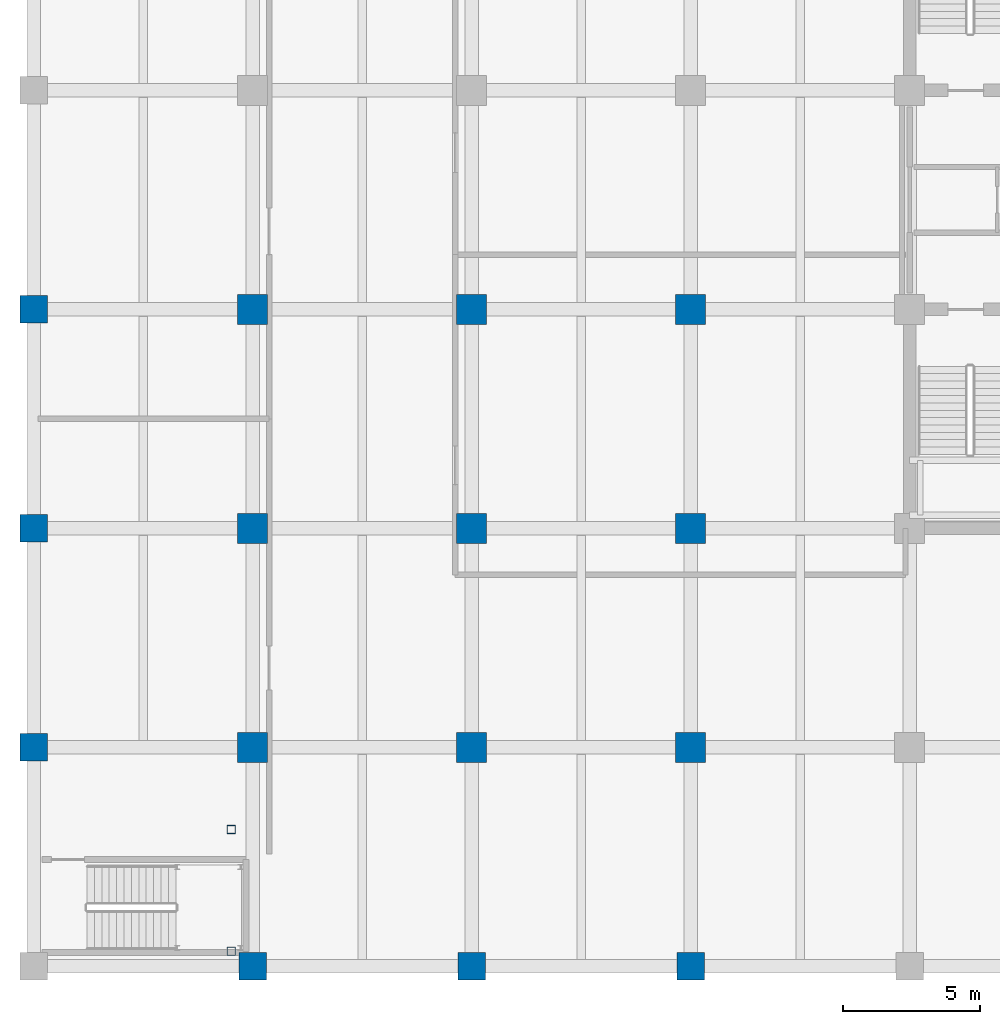
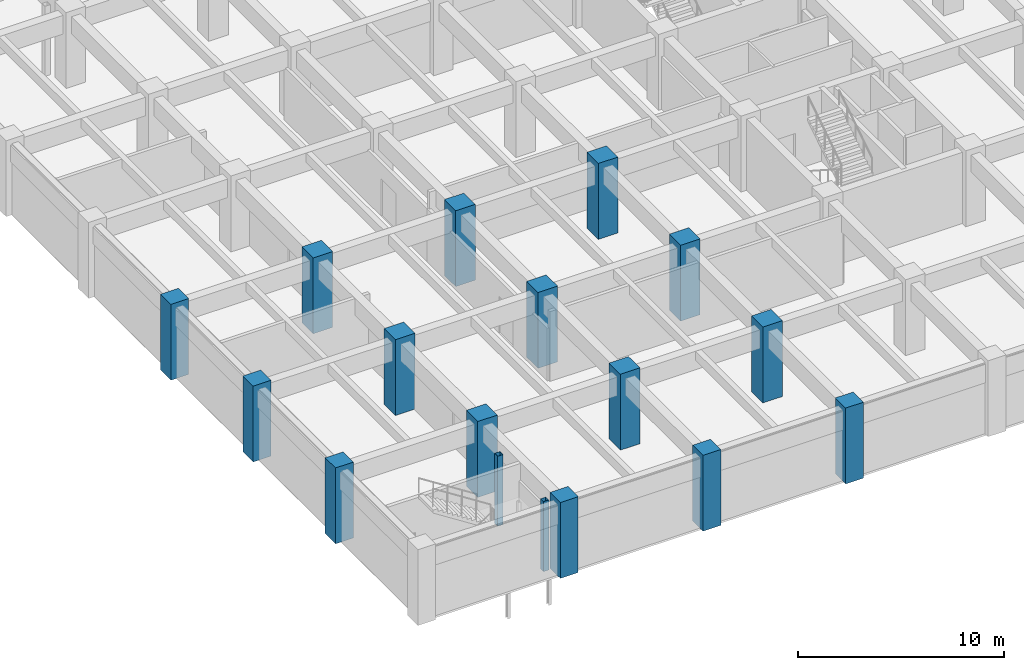
# One storey, part 2 of 16: 17 columns.
"""IFC4 building model written with IfcOpenShell, lengths in metres."""

import ifcopenshell
import ifcopenshell.guid

model = None  # the IFC model being written
_history = None  # IfcOwnerHistory: only IFC2X3 demands one
_inside = {}  # id of a spatial element -> (the spatial element, [elements in it])
_under = {}  # id of a project, library or spatial element -> (it, [spatial elements below it])
_declared = {}  # id of a project -> (the project, [libraries it declares])
_typed = {}  # id of a type object -> (the type object, [elements of that type])
_made_of = {}  # id of a material, layer set ... -> (it, [elements and type objects made of it])


def new_model(schema):
    """Start an empty IFC model of exactly this schema.

    Asked for "IFC4X3", IfcOpenShell would pick the latest addendum, in which some entities
    have other attributes; the version numbers below select the first issue.
    IFC2X3 requires an IfcOwnerHistory on every rooted entity: one is made here for all.
    """
    global model, _history
    if schema == "IFC4X3":
        model = ifcopenshell.file(schema_version=(4, 3, 0, 0))
    else:
        model = ifcopenshell.file(schema=schema)
    _inside.clear()
    _under.clear()
    _declared.clear()
    _typed.clear()
    _made_of.clear()
    _history = None
    if model.schema == "IFC2X3":
        org = make("IfcOrganization", Name="unknown")
        user = make(
            "IfcPersonAndOrganization",
            ThePerson=make("IfcPerson", FamilyName="unknown"),
            TheOrganization=org,
        )
        app = make(
            "IfcApplication",
            ApplicationDeveloper=org,
            Version="unknown",
            ApplicationFullName="unknown",
            ApplicationIdentifier="unknown",
        )
        _history = make(
            "IfcOwnerHistory",
            OwningUser=user,
            OwningApplication=app,
            ChangeAction="ADDED",
            CreationDate=0,
        )
    return model


def make(cls, **values):
    """One entity of the class cls with the attributes given. An attribute that is None is left unset."""
    return model.create_entity(
        cls, **{name: value for name, value in values.items() if value is not None}
    )


def rooted(cls, **values):
    """An entity with a GlobalId (a new one), such as an element, a storey or a relation."""
    return make(cls, GlobalId=ifcopenshell.guid.new(), OwnerHistory=_history, **values)


def si_unit(unit_type, name, prefix=None):
    """IfcSIUnit, for example si_unit("LENGTHUNIT", "METRE", prefix="MILLI")."""
    return make("IfcSIUnit", UnitType=unit_type, Prefix=prefix, Name=name)


def assignment(units):
    """IfcUnitAssignment: the units of a project."""
    return None if units is None else make("IfcUnitAssignment", Units=units)


def point(xyz):
    """IfcCartesianPoint."""
    return None if xyz is None else make("IfcCartesianPoint", Coordinates=xyz)


def direction(xyz):
    """IfcDirection."""
    return None if xyz is None else make("IfcDirection", DirectionRatios=xyz)


def frame(location, z_axis=None, x_axis=None):
    """IfcAxis2Placement3D, a coordinate frame: its origin and axes. An axis left out is left unset."""
    return make(
        "IfcAxis2Placement3D",
        Location=point(location),
        Axis=direction(z_axis),
        RefDirection=direction(x_axis),
    )


def frame_2d(location, x_axis=None):
    """IfcAxis2Placement2D, a coordinate frame in the plane: its origin and x axis."""
    return make(
        "IfcAxis2Placement2D", Location=point(location), RefDirection=direction(x_axis)
    )


def origin():
    """The frame at (0, 0, 0) with its axes left unset."""
    return frame((0.0, 0.0, 0.0))


def origin_2d():
    """The frame at (0, 0) in the plane with its x axis left unset."""
    return frame_2d((0.0, 0.0))


def place(relative_to, where):
    """IfcLocalPlacement: puts the frame where relative to a parent placement (None: the world)."""
    return make(
        "IfcLocalPlacement", PlacementRelTo=relative_to, RelativePlacement=where
    )


def context(
    kind, dimensions, precision=None, world=None, true_north=None, identifier=None
):
    """IfcGeometricRepresentationContext, for example the 3D "Model" context."""
    return make(
        "IfcGeometricRepresentationContext",
        ContextIdentifier=identifier,
        ContextType=kind,
        CoordinateSpaceDimension=dimensions,
        Precision=precision,
        WorldCoordinateSystem=world,
        TrueNorth=true_north,
    )


def subcontext(parent, identifier, kind, view, scale=None):
    """IfcGeometricRepresentationSubContext, for example "Body" below "Model"."""
    return make(
        "IfcGeometricRepresentationSubContext",
        ContextIdentifier=identifier,
        ContextType=kind,
        ParentContext=parent,
        TargetScale=scale,
        TargetView=view,
    )


def project(units=None, contexts=None):
    """IfcProject with its units and contexts."""
    return rooted(
        "IfcProject",
        Name="project",
        RepresentationContexts=contexts,
        UnitsInContext=assignment(units),
    )


def spatial(cls, under=None, at=None, **own):
    """A site, building, storey or space (cls), placed at a placement, below another one or the project."""
    s = rooted(cls, ObjectPlacement=at, **own)
    if under is not None:
        _under.setdefault(under.id(), (under, []))[1].append(s)
    return s


def profile(cls, at=None, kind="AREA", **sizes):
    """A parametric profile (cls). Its sizes go by their IFC names, for example OverallWidth=200.0."""
    return make(cls, ProfileType=kind, Position=at, **sizes)


def rectangle(**sizes):
    """IfcRectangleProfileDef."""
    return profile("IfcRectangleProfileDef", **sizes)


def hollow_rectangle(**sizes):
    """IfcRectangleHollowProfileDef."""
    return profile("IfcRectangleHollowProfileDef", **sizes)


def extrude(swept, where, along, depth):
    """IfcExtrudedAreaSolid: the profile swept, set in the frame where, extruded along a direction by depth."""
    return make(
        "IfcExtrudedAreaSolid",
        SweptArea=swept,
        Position=where,
        ExtrudedDirection=direction(along),
        Depth=depth,
    )


def shape(context_of_items, identifier, shape_type, items):
    """IfcShapeRepresentation: the items that make up one representation, for example the "Body"."""
    return make(
        "IfcShapeRepresentation",
        ContextOfItems=context_of_items,
        RepresentationIdentifier=identifier,
        RepresentationType=shape_type,
        Items=items,
    )


def material(Name=None, Category=None):
    """IfcMaterial."""
    return make("IfcMaterial", Name=Name, Category=Category)


def material_profile(
    of_material, cross_section, Name=None, Category=None, Priority=None
):
    """IfcMaterialProfile: a cross section and its material."""
    return make(
        "IfcMaterialProfile",
        Name=Name,
        Material=of_material,
        Profile=cross_section,
        Priority=Priority,
        Category=Category,
    )


def profile_set(profiles, Name=None, composite=None):
    """IfcMaterialProfileSet."""
    return make(
        "IfcMaterialProfileSet",
        Name=Name,
        MaterialProfiles=profiles,
        CompositeProfile=composite,
    )


def made_of(thing, what):
    """Note that an element or type object is made of a material, layer set ...; save() writes the relation."""
    if what is not None:
        _made_of.setdefault(what.id(), (what, []))[1].append(thing)
    return thing


def type_object(cls, material=None, **own):
    """A type object (cls), such as IfcWallType, which elements share."""
    return made_of(rooted(cls, **own), material)


def element(
    cls,
    number,
    at=None,
    inside=None,
    cuts=None,
    type_object=None,
    material=None,
    context=None,
    identifier="Body",
    shape_type=None,
    held_by="IfcProductDefinitionShape",
    body=None,
    shapes=None,
    **own,
):
    """One element of the class cls, such as IfcWall. Its Tag is "e" and its number.

    at: its placement. inside: the storey or other place that contains it. cuts: it is an
    opening in that element (IfcRelVoidsElement). A single representation is given by context,
    identifier, shape_type and body (its items); several are given by shapes. held_by: the class
    of the entity that holds the representations. save() writes the other relations.
    """
    e = rooted(cls, Tag="e%d" % number, ObjectPlacement=at, **own)
    if body is not None:
        shapes = [shape(context, identifier, shape_type, body)]
    if shapes is not None:
        e.Representation = make(held_by, Representations=shapes)
    if inside is not None:
        _inside.setdefault(inside.id(), (inside, []))[1].append(e)
    if cuts is not None:
        rooted(
            "IfcRelVoidsElement", RelatingBuildingElement=cuts, RelatedOpeningElement=e
        )
    if type_object is not None:
        _typed.setdefault(type_object.id(), (type_object, []))[1].append(e)
    return made_of(e, material)


def aggregate(whole, parts):
    """IfcRelAggregates: a whole, such as a stair, and the parts it consists of."""
    return rooted("IfcRelAggregates", RelatingObject=whole, RelatedObjects=parts)


def save(model, path):
    """Write the relations noted so far, then the file.

    IfcRelAggregates (storeys below a building ...), IfcRelContainedInSpatialStructure (elements
    in a storey), IfcRelDefinesByType, IfcRelAssociatesMaterial and IfcRelDeclares: one each for
    every whole, place, type object, material and project.
    """
    for whole, parts in _under.values():
        aggregate(whole, parts)
    for where, things in _inside.values():
        rooted(
            "IfcRelContainedInSpatialStructure",
            RelatedElements=things,
            RelatingStructure=where,
        )
    for kind, things in _typed.values():
        rooted("IfcRelDefinesByType", RelatedObjects=things, RelatingType=kind)
    for what, things in _made_of.values():
        rooted("IfcRelAssociatesMaterial", RelatedObjects=things, RelatingMaterial=what)
    for by, libraries in _declared.values():
        rooted("IfcRelDeclares", RelatingContext=by, RelatedDefinitions=libraries)
    model.write(path)


model = new_model("IFC4")

# Units and contexts
model_context = context("Model", 3, precision=1e-05, world=origin(), true_north=direction((0.0, 1.0)))
body_context = subcontext(model_context, "Body", "Model", "MODEL_VIEW")
ifc_project = project(units=[si_unit("LENGTHUNIT", "METRE"), si_unit("AREAUNIT", "SQUARE_METRE"), si_unit("VOLUMEUNIT", "CUBIC_METRE"), si_unit("PLANEANGLEUNIT", "RADIAN"), si_unit("MASSUNIT", "GRAM", prefix="KILO")], contexts=[model_context])

# Site, building, storey
site_placement = place(None, origin())
site = spatial("IfcSite", under=ifc_project, at=site_placement, CompositionType="ELEMENT")
building_placement = place(site_placement, origin())
building = spatial("IfcBuilding", under=site, at=building_placement, Name="Canggui Botanical Conservatory", CompositionType="ELEMENT")
storey_placement = place(building_placement, frame((0.0, 0.0, -4.5)))
storey = spatial("IfcBuildingStorey", under=building, at=storey_placement, Name="B1", CompositionType="ELEMENT", Elevation=-4.5)

# Columns
ifc_material_1 = material(Name="Steel Q355C", Category="steel")
ifc_material_profile_1 = material_profile(ifc_material_1, hollow_rectangle(XDim=0.300048828125, YDim=0.300048828125, WallThickness=0.010009765625, at=origin_2d()), Name="SHS 300x300x10")
ifc_profile_set_1 = profile_set([ifc_material_profile_1], Name="Steel Q355C")
column_type_1 = type_object("IfcColumnType", Name="COL-GZ02", PredefinedType="COLUMN", material=ifc_profile_set_1)
for number, where, z_axis, x_axis, name in (
    (1, (129.219970703125, 26.550048828125, 0.0), (0.0, 0.0, 1.0), (1.0, 0.0, 0.0), "SB-01 Corbel Support Pier B1-1"),
    (2, (129.219970703125, 31.0, 0.0), (0.0, 0.0, 1.0), (1.0, 0.0, 0.0), "SB-01 Corbel Support Pier B1-2"),
):
    element("IfcColumn", number, at=place(storey_placement, frame(where, z_axis=z_axis, x_axis=x_axis)), inside=storey, type_object=column_type_1, Name=name, PredefinedType="COLUMN", context=body_context, shape_type="SweptSolid", body=[
        extrude(hollow_rectangle(XDim=0.300048828125, YDim=0.300048828125, WallThickness=0.010009765625, at=origin_2d()), origin(), (0.0, 0.0, 1.0), 4.14990234375),
    ])
ifc_material_2 = material(Name="Concrete C50", Category="concrete")
ifc_material_profile_2 = material_profile(ifc_material_2, rectangle(XDim=1.10009765625, YDim=1.10009765625, at=origin_2d()), Name="RC 1100x1100")
ifc_profile_set_2 = profile_set([ifc_material_profile_2], Name="Concrete C50")
column_type_2 = type_object("IfcColumnType", Name="COL-KZ01", PredefinedType="COLUMN", material=ifc_profile_set_2)
for number, where, z_axis, x_axis, name in (
    (3, (130.0, 34.0, 0.0), (0.0, 0.0, 1.0), (1.0, 0.0, 0.0), "Tower RC Column B1 (130,34)"),
    (4, (130.0, 42.0, 0.0), (0.0, 0.0, 1.0), (1.0, 0.0, 0.0), "Tower RC Column B1 (130,42)"),
    (5, (130.0, 50.0, 0.0), (0.0, 0.0, 1.0), (1.0, 0.0, 0.0), "Tower RC Column B1 (130,50)"),
    (6, (138.0, 34.0, 0.0), (0.0, 0.0, 1.0), (1.0, 0.0, 0.0), "Tower RC Column B1 (138,34)"),
    (7, (138.0, 42.0, 0.0), (0.0, 0.0, 1.0), (1.0, 0.0, 0.0), "Tower RC Column B1 (138,42)"),
    (8, (138.0, 50.0, 0.0), (0.0, 0.0, 1.0), (1.0, 0.0, 0.0), "Tower RC Column B1 (138,50)"),
    (9, (146.0, 34.0, 0.0), (0.0, 0.0, 1.0), (1.0, 0.0, 0.0), "Tower RC Column B1 (146,34)"),
    (10, (146.0, 42.0, 0.0), (0.0, 0.0, 1.0), (1.0, 0.0, 0.0), "Tower RC Column B1 (146,42)"),
    (11, (146.0, 50.0, 0.0), (0.0, 0.0, 1.0), (1.0, 0.0, 0.0), "Tower RC Column B1 (146,50)"),
):
    element("IfcColumn", number, at=place(storey_placement, frame(where, z_axis=z_axis, x_axis=x_axis)), inside=storey, type_object=column_type_2, Name=name, PredefinedType="COLUMN", context=body_context, shape_type="SweptSolid", body=[
        extrude(rectangle(XDim=1.10009765625, YDim=1.10009765625, at=origin_2d()), origin(), (0.0, 0.0, 1.0), 4.5),
    ])
ifc_material_profile_3 = material_profile(ifc_material_2, rectangle(XDim=1.0, YDim=1.0, at=origin_2d()), Name="RC 1000x1000")
ifc_profile_set_3 = profile_set([ifc_material_profile_3], Name="Concrete C50")
column_type_3 = type_object("IfcColumnType", Name="COL-KZ03", PredefinedType="COLUMN", material=ifc_profile_set_3)
for number, where, z_axis, x_axis, name in (
    (12, (122.0, 34.0, 0.0), (0.0, 0.0, 1.0), (1.0, 0.0, 0.0), "Tower RC Column B1 (122,34)"),
    (13, (122.0, 42.0, 0.0), (0.0, 0.0, 1.0), (1.0, 0.0, 0.0), "Tower RC Column B1 (122,42)"),
    (14, (122.0, 50.0, 0.0), (0.0, 0.0, 1.0), (1.0, 0.0, 0.0), "Tower RC Column B1 (122,50)"),
    (15, (130.0, 26.0, 0.0), (0.0, 0.0, 1.0), (1.0, 0.0, 0.0), "Tower RC Column B1 (130,26)"),
    (16, (138.0, 26.0, 0.0), (0.0, 0.0, 1.0), (1.0, 0.0, 0.0), "Tower RC Column B1 (138,26)"),
    (17, (146.0, 26.0, 0.0), (0.0, 0.0, 1.0), (1.0, 0.0, 0.0), "Tower RC Column B1 (146,26)"),
):
    element("IfcColumn", number, at=place(storey_placement, frame(where, z_axis=z_axis, x_axis=x_axis)), inside=storey, type_object=column_type_3, Name=name, PredefinedType="COLUMN", context=body_context, shape_type="SweptSolid", body=[
        extrude(rectangle(XDim=1.0, YDim=1.0, at=origin_2d()), origin(), (0.0, 0.0, 1.0), 4.5),
    ])

save(model, "model.ifc")
